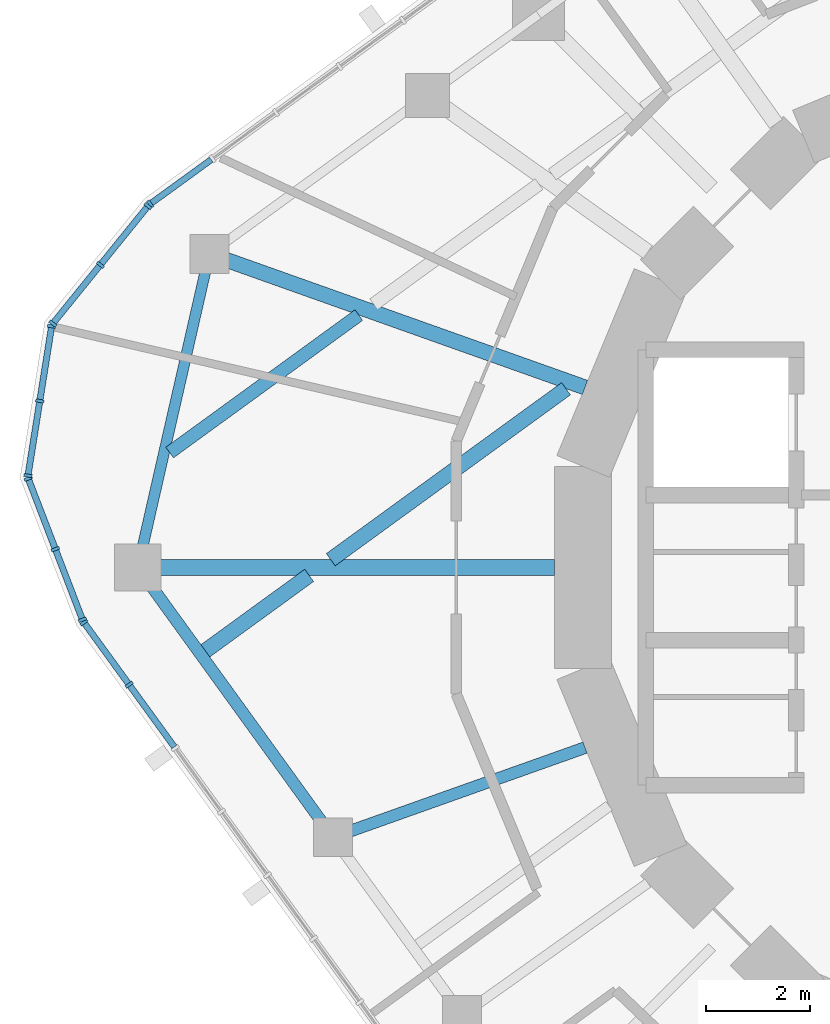
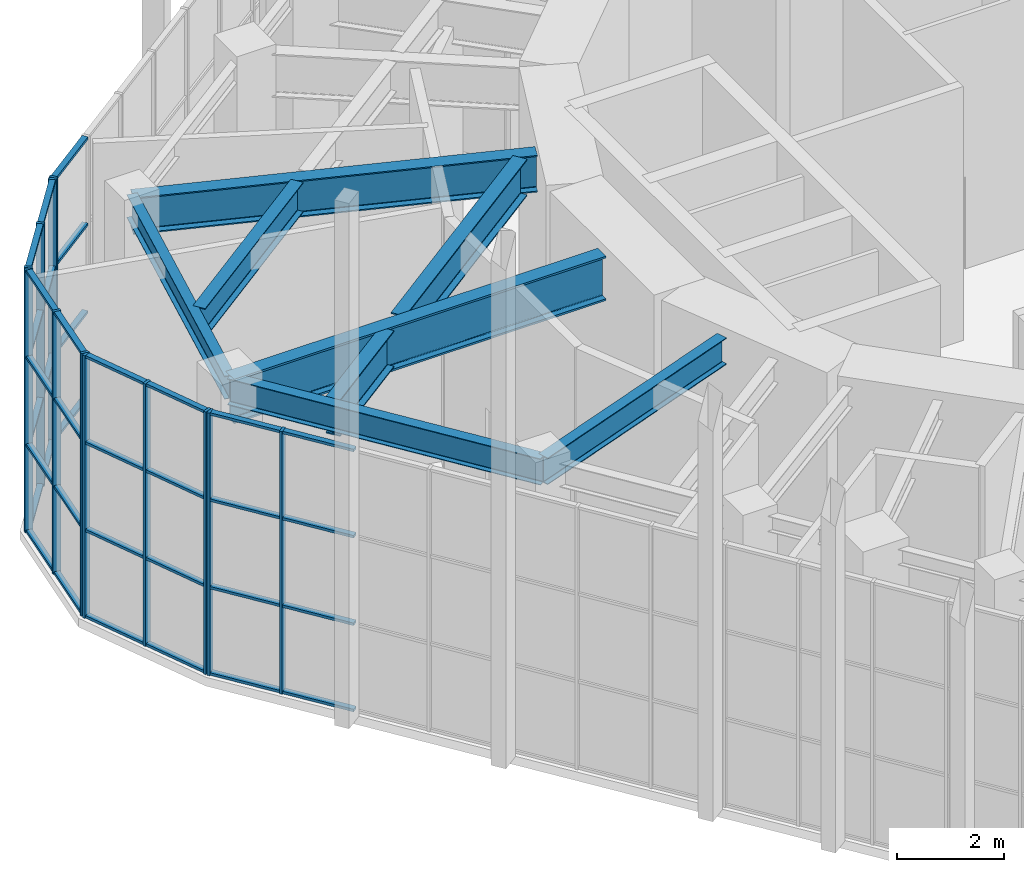
# One storey, part 5 of 17: 48 members, 8 beams, 5 elements without a shape of their own.
"""IFC4 building model written with IfcOpenShell, lengths in metres."""

from ifc_helpers import new_model, si_unit, direction, frame, origin, origin_2d, place, context, subcontext, project, spatial, rectangle, i_section, extrude, material, material_profile, profile_set, type_object, element, aggregate, save


model = new_model("IFC4")

# Units and contexts
model_context = context("Model", 3, precision=1e-05, world=origin(), true_north=direction((0.0, 1.0)))
body_context = subcontext(model_context, "Body", "Model", "MODEL_VIEW")
ifc_project = project(units=[si_unit("LENGTHUNIT", "METRE"), si_unit("AREAUNIT", "SQUARE_METRE"), si_unit("VOLUMEUNIT", "CUBIC_METRE"), si_unit("PLANEANGLEUNIT", "RADIAN"), si_unit("MASSUNIT", "GRAM", prefix="KILO")], contexts=[model_context])

# Site, building, storey
site_placement = place(None, origin())
site = spatial("IfcSite", under=ifc_project, at=site_placement, CompositionType="ELEMENT")
building_placement = place(site_placement, origin())
building = spatial("IfcBuilding", under=site, at=building_placement, Name="Nakasero Lantern House", CompositionType="ELEMENT")
storey_placement = place(building_placement, frame((0.0, 0.0, 298.39990234375)))
storey = spatial("IfcBuildingStorey", under=building, at=storey_placement, Name="L73", CompositionType="ELEMENT", Elevation=298.39990234375)

# Beams
ifc_material_1 = material(Name="Steel S355", Category="steel")
ifc_material_profile_1 = material_profile(ifc_material_1, i_section(OverallWidth=0.253662109375, OverallDepth=0.68359375, WebThickness=0.012451171875, FlangeThickness=0.01904296875, FilletRadius=0.01513671875, at=origin_2d()), Name="UB 686x254x140")
ifc_profile_set_1 = profile_set([ifc_material_profile_1], Name="Steel S355")
beam_type_1 = type_object("IfcBeamType", Name="Infill beam UB 686x254x140", PredefinedType="JOIST", material=ifc_profile_set_1)
beam_1_placement = place(storey_placement, frame((-17.786865234375, 2.21875, 5.458251953125), z_axis=(0.808998054221, 0.587811320295, 0.0), x_axis=(-0.587811320295, 0.808998054221, 0.0)))
element("IfcBeam", 1, at=beam_1_placement, inside=storey, type_object=beam_type_1, Name="Infill beam L74 10.1", PredefinedType="JOIST", context=body_context, shape_type="SweptSolid", body=[
    extrude(i_section(OverallWidth=0.253662109375, OverallDepth=0.68359375, WebThickness=0.012451171875, FlangeThickness=0.01904296875, FilletRadius=0.01513671875, at=origin_2d()), origin(), (0.0, 0.0, 1.0), 4.51220703125),
])
ifc_material_2 = material(Name="Steel S355", Category="steel")
ifc_material_profile_2 = material_profile(ifc_material_2, i_section(OverallWidth=0.29248046875, OverallDepth=0.8408203125, WebThickness=0.0146484375, FlangeThickness=0.02685546875, FilletRadius=0.017822265625, at=origin_2d()), Name="UB 838x292x194")
ifc_profile_set_2 = profile_set([ifc_material_profile_2], Name="Steel S355")
beam_type_2 = type_object("IfcBeamType", Name="Infill beam UB 838x292x194", PredefinedType="JOIST", material=ifc_profile_set_2)
beam_2_placement = place(storey_placement, frame((-17.09765625, -1.606689453125, 5.379638671875), z_axis=(0.809008944548, 0.587796331769, 0.0), x_axis=(-0.587796331769, 0.809008944548, 0.0)))
element("IfcBeam", 2, at=beam_2_placement, inside=storey, type_object=beam_type_2, Name="Infill beam L74 09.1", PredefinedType="JOIST", context=body_context, shape_type="SweptSolid", body=[
    extrude(i_section(OverallWidth=0.29248046875, OverallDepth=0.8408203125, WebThickness=0.0146484375, FlangeThickness=0.02685546875, FilletRadius=0.017822265625, at=origin_2d()), origin(), (0.0, 0.0, 1.0), 2.4755859375),
])
beam_3_placement = place(storey_placement, frame((-14.677978515625, 0.151611328125, 5.379638671875), z_axis=(0.809023858621, 0.587775804352, 0.0), x_axis=(-0.587775804352, 0.809023858621, 0.0)))
element("IfcBeam", 3, at=beam_3_placement, inside=storey, type_object=beam_type_2, Name="Infill beam L74 09.2", PredefinedType="JOIST", context=body_context, shape_type="SweptSolid", body=[
    extrude(i_section(OverallWidth=0.29248046875, OverallDepth=0.8408203125, WebThickness=0.0146484375, FlangeThickness=0.02685546875, FilletRadius=0.017822265625, at=origin_2d()), origin(), (0.0, 0.0, 1.0), 5.611083984375),
])

# Curtain wall, member
ifc_material_3 = material(Name="Aluminium 6063-T6 and glass", Category="aluminium")
curtain_wall_type = type_object("IfcCurtainWallType", Name="Lantern glazing CW-4", PredefinedType="USERDEFINED", material=ifc_material_3)
curtain_wall_1_placement = place(storey_placement, origin())
curtain_wall_1 = element("IfcCurtainWall", 4, at=curtain_wall_1_placement, inside=storey, type_object=curtain_wall_type, Name="Curtain wall CW-4 L73", ObjectType="UNITISED CURTAIN WALL", PredefinedType="USERDEFINED")
ifc_material_4 = material(Name="Aluminium 6063-T6", Category="aluminium")
ifc_material_profile_3 = material_profile(ifc_material_4, rectangle(XDim=0.06005859375, YDim=0.159912109375, at=origin_2d()), Name="CW-4 mullion 60x160")
ifc_profile_set_3 = profile_set([ifc_material_profile_3], Name="Aluminium 6063-T6")
member_type_1 = type_object("IfcMemberType", Name="Mullion CW-4", PredefinedType="MULLION", material=ifc_profile_set_3)
member_1_placement = place(storey_placement, frame((-18.16162109375, 7.0146484375, 0.0), z_axis=(0.0, 0.0, 1.0), x_axis=(-0.809016994375, -0.587785252292, 0.0)))
member_1 = element("IfcMember", 5, at=member_1_placement, type_object=member_type_1, Name="CW-4 mullion 15", PredefinedType="MULLION", context=body_context, shape_type="SweptSolid", body=[
    extrude(rectangle(XDim=0.06005859375, YDim=0.159912109375, at=origin_2d()), origin(), (0.0, 0.0, 1.0), 6.0),
])

# Curtain wall, members
curtain_wall_2_placement = place(storey_placement, origin())
curtain_wall_2 = element("IfcCurtainWall", 6, at=curtain_wall_2_placement, inside=storey, type_object=curtain_wall_type, Name="Curtain wall CW-4 L73", ObjectType="UNITISED CURTAIN WALL", PredefinedType="USERDEFINED")
member_2_placement = place(storey_placement, frame((-18.204833984375, 6.9736328125, 0.0), z_axis=(0.0, 0.0, 1.0), x_axis=(-0.62932039105, -0.777145961457, 0.0)))
member_2 = element("IfcMember", 7, at=member_2_placement, type_object=member_type_1, Name="CW-4 mullion 1", PredefinedType="MULLION", context=body_context, shape_type="SweptSolid", body=[
    extrude(rectangle(XDim=0.06005859375, YDim=0.159912109375, at=origin_2d()), origin(), (0.0, 0.0, 1.0), 6.0),
])
member_3_placement = place(storey_placement, frame((-19.122314453125, 5.84033203125, 0.0), z_axis=(0.0, 0.0, 1.0), x_axis=(-0.62932039105, -0.777145961457, 0.0)))
member_3 = element("IfcMember", 8, at=member_3_placement, type_object=member_type_1, Name="CW-4 mullion 2", PredefinedType="MULLION", context=body_context, shape_type="SweptSolid", body=[
    extrude(rectangle(XDim=0.06005859375, YDim=0.159912109375, at=origin_2d()), origin(), (0.0, 0.0, 1.0), 6.0),
])
member_4_placement = place(storey_placement, frame((-20.0400390625, 4.70703125, 0.0), z_axis=(0.0, 0.0, 1.0), x_axis=(-0.62932039105, -0.777145961457, 0.0)))
member_4 = element("IfcMember", 9, at=member_4_placement, type_object=member_type_1, Name="CW-4 mullion 3", PredefinedType="MULLION", context=body_context, shape_type="SweptSolid", body=[
    extrude(rectangle(XDim=0.06005859375, YDim=0.159912109375, at=origin_2d()), origin(), (0.0, 0.0, 1.0), 6.0),
])

curtain_wall_3_placement = place(storey_placement, origin())
curtain_wall_3 = element("IfcCurtainWall", 10, at=curtain_wall_3_placement, inside=storey, type_object=curtain_wall_type, Name="Curtain wall CW-4 L73", ObjectType="UNITISED CURTAIN WALL", PredefinedType="USERDEFINED")
member_5_placement = place(storey_placement, frame((-20.063720703125, 4.654052734375, 0.0), z_axis=(0.0, 0.0, 1.0), x_axis=(-0.15643446504, -0.987688340595, 0.0)))
member_5 = element("IfcMember", 11, at=member_5_placement, type_object=member_type_1, Name="CW-4 mullion 1", PredefinedType="MULLION", context=body_context, shape_type="SweptSolid", body=[
    extrude(rectangle(XDim=0.06005859375, YDim=0.159912109375, at=origin_2d()), origin(), (0.0, 0.0, 1.0), 6.0),
])
member_6_placement = place(storey_placement, frame((-20.291748046875, 3.2138671875, 0.0), z_axis=(0.0, 0.0, 1.0), x_axis=(-0.15643446504, -0.987688340595, 0.0)))
member_6 = element("IfcMember", 12, at=member_6_placement, type_object=member_type_1, Name="CW-4 mullion 2", PredefinedType="MULLION", context=body_context, shape_type="SweptSolid", body=[
    extrude(rectangle(XDim=0.06005859375, YDim=0.159912109375, at=origin_2d()), origin(), (0.0, 0.0, 1.0), 6.0),
])
member_7_placement = place(storey_placement, frame((-20.52001953125, 1.773681640625, 0.0), z_axis=(0.0, 0.0, 1.0), x_axis=(-0.15643446504, -0.987688340595, 0.0)))
member_7 = element("IfcMember", 13, at=member_7_placement, type_object=member_type_1, Name="CW-4 mullion 3", PredefinedType="MULLION", context=body_context, shape_type="SweptSolid", body=[
    extrude(rectangle(XDim=0.06005859375, YDim=0.159912109375, at=origin_2d()), origin(), (0.0, 0.0, 1.0), 6.0),
])

curtain_wall_4_placement = place(storey_placement, origin())
curtain_wall_4 = element("IfcCurtainWall", 14, at=curtain_wall_4_placement, inside=storey, type_object=curtain_wall_type, Name="Curtain wall CW-4 L73", ObjectType="UNITISED CURTAIN WALL", PredefinedType="USERDEFINED")
member_8_placement = place(storey_placement, frame((-20.513916015625, 1.716064453125, 0.0), z_axis=(0.0, 0.0, 1.0), x_axis=(0.358367949545, -0.933580426497, 0.0)))
member_8 = element("IfcMember", 15, at=member_8_placement, type_object=member_type_1, Name="CW-4 mullion 1", PredefinedType="MULLION", context=body_context, shape_type="SweptSolid", body=[
    extrude(rectangle(XDim=0.06005859375, YDim=0.159912109375, at=origin_2d()), origin(), (0.0, 0.0, 1.0), 6.0),
])
member_9_placement = place(storey_placement, frame((-19.9912109375, 0.354736328125, 0.0), z_axis=(0.0, 0.0, 1.0), x_axis=(0.358367949545, -0.933580426497, 0.0)))
member_9 = element("IfcMember", 16, at=member_9_placement, type_object=member_type_1, Name="CW-4 mullion 2", PredefinedType="MULLION", context=body_context, shape_type="SweptSolid", body=[
    extrude(rectangle(XDim=0.06005859375, YDim=0.159912109375, at=origin_2d()), origin(), (0.0, 0.0, 1.0), 6.0),
])
member_10_placement = place(storey_placement, frame((-19.46875, -1.006591796875, 0.0), z_axis=(0.0, 0.0, 1.0), x_axis=(0.358367949545, -0.933580426497, 0.0)))
member_10 = element("IfcMember", 17, at=member_10_placement, type_object=member_type_1, Name="CW-4 mullion 3", PredefinedType="MULLION", context=body_context, shape_type="SweptSolid", body=[
    extrude(rectangle(XDim=0.06005859375, YDim=0.159912109375, at=origin_2d()), origin(), (0.0, 0.0, 1.0), 6.0),
])

curtain_wall_5_placement = place(storey_placement, origin())
curtain_wall_5 = element("IfcCurtainWall", 18, at=curtain_wall_5_placement, inside=storey, type_object=curtain_wall_type, Name="Curtain wall CW-4 L73", ObjectType="UNITISED CURTAIN WALL", PredefinedType="USERDEFINED")
member_11_placement = place(storey_placement, frame((-19.4404296875, -1.05908203125, 0.0), z_axis=(0.0, 0.0, 1.0), x_axis=(0.587785252292, -0.809016994375, 0.0)))
member_11 = element("IfcMember", 19, at=member_11_placement, type_object=member_type_1, Name="CW-4 mullion 1", PredefinedType="MULLION", context=body_context, shape_type="SweptSolid", body=[
    extrude(rectangle(XDim=0.06005859375, YDim=0.159912109375, at=origin_2d()), origin(), (0.0, 0.0, 1.0), 6.0),
])
member_12_placement = place(storey_placement, frame((-18.56787109375, -2.259765625, 0.0), z_axis=(0.0, 0.0, 1.0), x_axis=(0.587785252292, -0.809016994375, 0.0)))
member_12 = element("IfcMember", 20, at=member_12_placement, type_object=member_type_1, Name="CW-4 mullion 2", PredefinedType="MULLION", context=body_context, shape_type="SweptSolid", body=[
    extrude(rectangle(XDim=0.06005859375, YDim=0.159912109375, at=origin_2d()), origin(), (0.0, 0.0, 1.0), 6.0),
])

# Beams
ifc_material_5 = material(Name="Steel S355", Category="steel")
ifc_material_profile_4 = material_profile(ifc_material_5, i_section(OverallWidth=0.302978515625, OverallDepth=1.015869140625, WebThickness=0.0244140625, FlangeThickness=0.0439453125, FilletRadius=0.030029296875, at=origin_2d()), Name="UB 1016x305x393")
ifc_profile_set_4 = profile_set([ifc_material_profile_4], Name="Steel S355")
beam_type_3 = type_object("IfcBeamType", Name="Primary beam UB 1016x305x393, span 6 to 9 m", PredefinedType="BEAM", material=ifc_profile_set_4)
beam_4_placement = place(storey_placement, frame((-18.39990234375, 0.0, 5.292236328125), z_axis=(1.0, 0.0, 0.0), x_axis=(0.0, 1.0, 0.0)))
element("IfcBeam", 21, at=beam_4_placement, inside=storey, type_object=beam_type_3, Name="Primary beam L74 B7-C15", PredefinedType="BEAM", context=body_context, shape_type="SweptSolid", body=[
    extrude(i_section(OverallWidth=0.302978515625, OverallDepth=1.015869140625, WebThickness=0.0244140625, FlangeThickness=0.0439453125, FilletRadius=0.030029296875, at=origin_2d()), origin(), (0.0, 0.0, 1.0), 8.0419921875),
])
ifc_material_6 = material(Name="Steel S355", Category="steel")
ifc_material_profile_5 = material_profile(ifc_material_6, i_section(OverallWidth=0.22900390625, OverallDepth=0.6123046875, WebThickness=0.011962890625, FlangeThickness=0.01953125, FilletRadius=0.0126953125, at=origin_2d()), Name="UB 610x229x125")
ifc_profile_set_5 = profile_set([ifc_material_profile_5], Name="Steel S355")
beam_type_4 = type_object("IfcBeamType", Name="Primary beam UB 610x229x125, span to 6 m", PredefinedType="BEAM", material=ifc_profile_set_5)
beam_5_placement = place(storey_placement, frame((-14.636474609375, -5.2041015625, 5.493896484375), z_axis=(0.942221324153, 0.3349910093, 0.0), x_axis=(-0.3349910093, 0.942221324153, 0.0)))
element("IfcBeam", 22, at=beam_5_placement, inside=storey, type_object=beam_type_4, Name="Primary beam L74 B7-C16", PredefinedType="BEAM", context=body_context, shape_type="SweptSolid", body=[
    extrude(i_section(OverallWidth=0.22900390625, OverallDepth=0.6123046875, WebThickness=0.011962890625, FlangeThickness=0.01953125, FilletRadius=0.0126953125, at=origin_2d()), origin(), (0.0, 0.0, 1.0), 5.162841796875),
])
ifc_material_7 = material(Name="Steel S355", Category="steel")
ifc_material_profile_6 = material_profile(ifc_material_7, i_section(OverallWidth=0.29248046875, OverallDepth=0.8408203125, WebThickness=0.0146484375, FlangeThickness=0.02685546875, FilletRadius=0.017822265625, at=origin_2d()), Name="UB 838x292x194")
ifc_profile_set_6 = profile_set([ifc_material_profile_6], Name="Steel S355")
beam_type_5 = type_object("IfcBeamType", Name="Primary beam UB 838x292x194, span 6 to 9 m", PredefinedType="BEAM", material=ifc_profile_set_6)
beam_6_placement = place(storey_placement, frame((-17.02001953125, 6.051513671875, 5.379638671875), z_axis=(0.942222036561, -0.334989005521, 0.0), x_axis=(0.334989005521, 0.942222036561, 0.0)))
element("IfcBeam", 23, at=beam_6_placement, inside=storey, type_object=beam_type_5, Name="Primary beam L74 B7-C14", PredefinedType="BEAM", context=body_context, shape_type="SweptSolid", body=[
    extrude(i_section(OverallWidth=0.29248046875, OverallDepth=0.8408203125, WebThickness=0.0146484375, FlangeThickness=0.02685546875, FilletRadius=0.017822265625, at=origin_2d()), origin(), (0.0, 0.0, 1.0), 7.6923828125),
])
ifc_material_8 = material(Name="Steel S355", Category="steel")
ifc_material_profile_7 = material_profile(ifc_material_8, i_section(OverallWidth=0.208740234375, OverallDepth=0.5283203125, WebThickness=0.009521484375, FlangeThickness=0.01318359375, FilletRadius=0.0126953125, at=origin_2d()), Name="UB 533x210x82")
ifc_profile_set_7 = profile_set([ifc_material_profile_7], Name="Steel S355")
beam_type_6 = type_object("IfcBeamType", Name="Ring beam UB 533x210x82", PredefinedType="BEAM", material=ifc_profile_set_7)
beam_7_placement = place(storey_placement, frame((-17.02001953125, 6.051513671875, 5.535888671875), z_axis=(-0.222316387753, -0.974974575944, 0.0), x_axis=(0.974974575944, -0.222316387753, 0.0)))
element("IfcBeam", 24, at=beam_7_placement, inside=storey, type_object=beam_type_6, Name="Ring beam L74 B7-C14", PredefinedType="BEAM", context=body_context, shape_type="SweptSolid", body=[
    extrude(i_section(OverallWidth=0.208740234375, OverallDepth=0.5283203125, WebThickness=0.009521484375, FlangeThickness=0.01318359375, FilletRadius=0.0126953125, at=origin_2d()), origin(), (0.0, 0.0, 1.0), 6.206787109375),
])
ifc_material_9 = material(Name="Steel S355", Category="steel")
ifc_material_profile_8 = material_profile(ifc_material_9, i_section(OverallWidth=0.2275390625, OverallDepth=0.6025390625, WebThickness=0.010498046875, FlangeThickness=0.014892578125, FilletRadius=0.0126953125, at=origin_2d()), Name="UB 610x229x101")
ifc_profile_set_8 = profile_set([ifc_material_profile_8], Name="Steel S355")
beam_type_7 = type_object("IfcBeamType", Name="Ring beam UB 610x229x101", PredefinedType="BEAM", material=ifc_profile_set_8)
beam_8_placement = place(storey_placement, frame((-18.39990234375, 0.0, 5.498779296875), z_axis=(0.58599287996, -0.810316200404, 0.0), x_axis=(0.810316200404, 0.58599287996, 0.0)))
element("IfcBeam", 25, at=beam_8_placement, inside=storey, type_object=beam_type_7, Name="Ring beam L74 B7-C15", PredefinedType="BEAM", context=body_context, shape_type="SweptSolid", body=[
    extrude(i_section(OverallWidth=0.2275390625, OverallDepth=0.6025390625, WebThickness=0.010498046875, FlangeThickness=0.014892578125, FilletRadius=0.0126953125, at=origin_2d()), origin(), (0.0, 0.0, 1.0), 6.42236328125),
])

# Member
ifc_material_10 = material(Name="Aluminium 6063-T6", Category="aluminium")
ifc_material_profile_9 = material_profile(ifc_material_10, rectangle(XDim=0.06005859375, YDim=0.1201171875, at=origin_2d()), Name="CW-4 transom 60x120")
ifc_profile_set_9 = profile_set([ifc_material_profile_9], Name="Aluminium 6063-T6")
member_type_2 = type_object("IfcMemberType", Name="Transom CW-4", PredefinedType="USERDEFINED", material=ifc_profile_set_9)
member_13_placement = place(storey_placement, frame((-16.985107421875, 7.869384765625, 0.030029296875), z_axis=(-0.808980650343, -0.587835272309, 0.0), x_axis=(0.0, 0.0, 1.0)))
member_13 = element("IfcMember", 26, at=member_13_placement, type_object=member_type_2, Name="CW-4 transom 14.1", ObjectType="TRANSOM", PredefinedType="USERDEFINED", context=body_context, shape_type="SweptSolid", body=[
    extrude(rectangle(XDim=0.06005859375, YDim=0.1201171875, at=origin_2d()), origin(), (0.0, 0.0, 1.0), 1.424072265625),
])

member_14_placement = place(storey_placement, frame((-16.985107421875, 7.869384765625, 2.0), z_axis=(-0.808980650343, -0.587835272309, 0.0), x_axis=(0.0, 0.0, 1.0)))
member_14 = element("IfcMember", 27, at=member_14_placement, type_object=member_type_2, Name="CW-4 transom 14.2", ObjectType="TRANSOM", PredefinedType="USERDEFINED", context=body_context, shape_type="SweptSolid", body=[
    extrude(rectangle(XDim=0.06005859375, YDim=0.1201171875, at=origin_2d()), origin(), (0.0, 0.0, 1.0), 1.424072265625),
])

member_15_placement = place(storey_placement, frame((-16.985107421875, 7.869384765625, 4.0), z_axis=(-0.808980650343, -0.587835272309, 0.0), x_axis=(0.0, 0.0, 1.0)))
member_15 = element("IfcMember", 28, at=member_15_placement, type_object=member_type_2, Name="CW-4 transom 14.3", ObjectType="TRANSOM", PredefinedType="USERDEFINED", context=body_context, shape_type="SweptSolid", body=[
    extrude(rectangle(XDim=0.06005859375, YDim=0.1201171875, at=origin_2d()), origin(), (0.0, 0.0, 1.0), 1.424072265625),
])

member_16_placement = place(storey_placement, frame((-16.985107421875, 7.869384765625, 5.97021484375), z_axis=(-0.808980650343, -0.587835272309, 0.0), x_axis=(0.0, 0.0, 1.0)))
member_16 = element("IfcMember", 29, at=member_16_placement, type_object=member_type_2, Name="CW-4 transom 14.4", ObjectType="TRANSOM", PredefinedType="USERDEFINED", context=body_context, shape_type="SweptSolid", body=[
    extrude(rectangle(XDim=0.06005859375, YDim=0.1201171875, at=origin_2d()), origin(), (0.0, 0.0, 1.0), 1.424072265625),
])

aggregate(curtain_wall_1, [member_1, member_13, member_14, member_15, member_16])

member_17_placement = place(storey_placement, frame((-18.2236328125, 6.9501953125, 0.030029296875), z_axis=(-0.629369016646, -0.777106582707, 0.0), x_axis=(0.0, 0.0, 1.0)))
member_17 = element("IfcMember", 30, at=member_17_placement, type_object=member_type_2, Name="CW-4 transom 1.1", ObjectType="TRANSOM", PredefinedType="USERDEFINED", context=body_context, shape_type="SweptSolid", body=[
    extrude(rectangle(XDim=0.06005859375, YDim=0.1201171875, at=origin_2d()), origin(), (0.0, 0.0, 1.0), 1.39794921875),
])

member_18_placement = place(storey_placement, frame((-18.2236328125, 6.9501953125, 2.0), z_axis=(-0.629369016646, -0.777106582707, 0.0), x_axis=(0.0, 0.0, 1.0)))
member_18 = element("IfcMember", 31, at=member_18_placement, type_object=member_type_2, Name="CW-4 transom 1.2", ObjectType="TRANSOM", PredefinedType="USERDEFINED", context=body_context, shape_type="SweptSolid", body=[
    extrude(rectangle(XDim=0.06005859375, YDim=0.1201171875, at=origin_2d()), origin(), (0.0, 0.0, 1.0), 1.39794921875),
])

member_19_placement = place(storey_placement, frame((-18.2236328125, 6.9501953125, 4.0), z_axis=(-0.629369016646, -0.777106582707, 0.0), x_axis=(0.0, 0.0, 1.0)))
member_19 = element("IfcMember", 32, at=member_19_placement, type_object=member_type_2, Name="CW-4 transom 1.3", ObjectType="TRANSOM", PredefinedType="USERDEFINED", context=body_context, shape_type="SweptSolid", body=[
    extrude(rectangle(XDim=0.06005859375, YDim=0.1201171875, at=origin_2d()), origin(), (0.0, 0.0, 1.0), 1.39794921875),
])

member_20_placement = place(storey_placement, frame((-18.2236328125, 6.9501953125, 5.97021484375), z_axis=(-0.629369016646, -0.777106582707, 0.0), x_axis=(0.0, 0.0, 1.0)))
member_20 = element("IfcMember", 33, at=member_20_placement, type_object=member_type_2, Name="CW-4 transom 1.4", ObjectType="TRANSOM", PredefinedType="USERDEFINED", context=body_context, shape_type="SweptSolid", body=[
    extrude(rectangle(XDim=0.06005859375, YDim=0.1201171875, at=origin_2d()), origin(), (0.0, 0.0, 1.0), 1.39794921875),
])

member_21_placement = place(storey_placement, frame((-19.141357421875, 5.817138671875, 0.030029296875), z_axis=(-0.629283614868, -0.777175740781, 0.0), x_axis=(0.0, 0.0, 1.0)))
member_21 = element("IfcMember", 34, at=member_21_placement, type_object=member_type_2, Name="CW-4 transom 2.1", ObjectType="TRANSOM", PredefinedType="USERDEFINED", context=body_context, shape_type="SweptSolid", body=[
    extrude(rectangle(XDim=0.06005859375, YDim=0.1201171875, at=origin_2d()), origin(), (0.0, 0.0, 1.0), 1.398193359375),
])

member_22_placement = place(storey_placement, frame((-19.141357421875, 5.817138671875, 2.0), z_axis=(-0.629283614868, -0.777175740781, 0.0), x_axis=(0.0, 0.0, 1.0)))
member_22 = element("IfcMember", 35, at=member_22_placement, type_object=member_type_2, Name="CW-4 transom 2.2", ObjectType="TRANSOM", PredefinedType="USERDEFINED", context=body_context, shape_type="SweptSolid", body=[
    extrude(rectangle(XDim=0.06005859375, YDim=0.1201171875, at=origin_2d()), origin(), (0.0, 0.0, 1.0), 1.398193359375),
])

member_23_placement = place(storey_placement, frame((-19.141357421875, 5.817138671875, 4.0), z_axis=(-0.629283614868, -0.777175740781, 0.0), x_axis=(0.0, 0.0, 1.0)))
member_23 = element("IfcMember", 36, at=member_23_placement, type_object=member_type_2, Name="CW-4 transom 2.3", ObjectType="TRANSOM", PredefinedType="USERDEFINED", context=body_context, shape_type="SweptSolid", body=[
    extrude(rectangle(XDim=0.06005859375, YDim=0.1201171875, at=origin_2d()), origin(), (0.0, 0.0, 1.0), 1.398193359375),
])

member_24_placement = place(storey_placement, frame((-19.141357421875, 5.817138671875, 5.97021484375), z_axis=(-0.629283614868, -0.777175740781, 0.0), x_axis=(0.0, 0.0, 1.0)))
member_24 = element("IfcMember", 37, at=member_24_placement, type_object=member_type_2, Name="CW-4 transom 2.4", ObjectType="TRANSOM", PredefinedType="USERDEFINED", context=body_context, shape_type="SweptSolid", body=[
    extrude(rectangle(XDim=0.06005859375, YDim=0.1201171875, at=origin_2d()), origin(), (0.0, 0.0, 1.0), 1.398193359375),
])

aggregate(curtain_wall_2, [member_2, member_3, member_4, member_17, member_18, member_19, member_20, member_21, member_22, member_23, member_24])

member_25_placement = place(storey_placement, frame((-20.068359375, 4.62451171875, 0.030029296875), z_axis=(-0.156464720495, -0.987683548127, 0.0), x_axis=(0.0, 0.0, 1.0)))
member_25 = element("IfcMember", 38, at=member_25_placement, type_object=member_type_2, Name="CW-4 transom 1.1", ObjectType="TRANSOM", PredefinedType="USERDEFINED", context=body_context, shape_type="SweptSolid", body=[
    extrude(rectangle(XDim=0.06005859375, YDim=0.1201171875, at=origin_2d()), origin(), (0.0, 0.0, 1.0), 1.398193359375),
])

member_26_placement = place(storey_placement, frame((-20.068359375, 4.62451171875, 2.0), z_axis=(-0.156464720495, -0.987683548127, 0.0), x_axis=(0.0, 0.0, 1.0)))
member_26 = element("IfcMember", 39, at=member_26_placement, type_object=member_type_2, Name="CW-4 transom 1.2", ObjectType="TRANSOM", PredefinedType="USERDEFINED", context=body_context, shape_type="SweptSolid", body=[
    extrude(rectangle(XDim=0.06005859375, YDim=0.1201171875, at=origin_2d()), origin(), (0.0, 0.0, 1.0), 1.398193359375),
])

member_27_placement = place(storey_placement, frame((-20.068359375, 4.62451171875, 4.0), z_axis=(-0.156464720495, -0.987683548127, 0.0), x_axis=(0.0, 0.0, 1.0)))
member_27 = element("IfcMember", 40, at=member_27_placement, type_object=member_type_2, Name="CW-4 transom 1.3", ObjectType="TRANSOM", PredefinedType="USERDEFINED", context=body_context, shape_type="SweptSolid", body=[
    extrude(rectangle(XDim=0.06005859375, YDim=0.1201171875, at=origin_2d()), origin(), (0.0, 0.0, 1.0), 1.398193359375),
])

member_28_placement = place(storey_placement, frame((-20.068359375, 4.62451171875, 5.97021484375), z_axis=(-0.156464720495, -0.987683548127, 0.0), x_axis=(0.0, 0.0, 1.0)))
member_28 = element("IfcMember", 41, at=member_28_placement, type_object=member_type_2, Name="CW-4 transom 1.4", ObjectType="TRANSOM", PredefinedType="USERDEFINED", context=body_context, shape_type="SweptSolid", body=[
    extrude(rectangle(XDim=0.06005859375, YDim=0.1201171875, at=origin_2d()), origin(), (0.0, 0.0, 1.0), 1.398193359375),
])

member_29_placement = place(storey_placement, frame((-20.29638671875, 3.184326171875, 0.030029296875), z_axis=(-0.156437738833, -0.987687822072, 0.0), x_axis=(0.0, 0.0, 1.0)))
member_29 = element("IfcMember", 42, at=member_29_placement, type_object=member_type_2, Name="CW-4 transom 2.1", ObjectType="TRANSOM", PredefinedType="USERDEFINED", context=body_context, shape_type="SweptSolid", body=[
    extrude(rectangle(XDim=0.06005859375, YDim=0.1201171875, at=origin_2d()), origin(), (0.0, 0.0, 1.0), 1.3984375),
])

member_30_placement = place(storey_placement, frame((-20.29638671875, 3.184326171875, 2.0), z_axis=(-0.156437738833, -0.987687822072, 0.0), x_axis=(0.0, 0.0, 1.0)))
member_30 = element("IfcMember", 43, at=member_30_placement, type_object=member_type_2, Name="CW-4 transom 2.2", ObjectType="TRANSOM", PredefinedType="USERDEFINED", context=body_context, shape_type="SweptSolid", body=[
    extrude(rectangle(XDim=0.06005859375, YDim=0.1201171875, at=origin_2d()), origin(), (0.0, 0.0, 1.0), 1.3984375),
])

member_31_placement = place(storey_placement, frame((-20.29638671875, 3.184326171875, 4.0), z_axis=(-0.156437738833, -0.987687822072, 0.0), x_axis=(0.0, 0.0, 1.0)))
member_31 = element("IfcMember", 44, at=member_31_placement, type_object=member_type_2, Name="CW-4 transom 2.3", ObjectType="TRANSOM", PredefinedType="USERDEFINED", context=body_context, shape_type="SweptSolid", body=[
    extrude(rectangle(XDim=0.06005859375, YDim=0.1201171875, at=origin_2d()), origin(), (0.0, 0.0, 1.0), 1.3984375),
])

member_32_placement = place(storey_placement, frame((-20.29638671875, 3.184326171875, 5.97021484375), z_axis=(-0.156437738833, -0.987687822072, 0.0), x_axis=(0.0, 0.0, 1.0)))
member_32 = element("IfcMember", 45, at=member_32_placement, type_object=member_type_2, Name="CW-4 transom 2.4", ObjectType="TRANSOM", PredefinedType="USERDEFINED", context=body_context, shape_type="SweptSolid", body=[
    extrude(rectangle(XDim=0.06005859375, YDim=0.1201171875, at=origin_2d()), origin(), (0.0, 0.0, 1.0), 1.3984375),
])

aggregate(curtain_wall_3, [member_5, member_6, member_7, member_25, member_26, member_27, member_28, member_29, member_30, member_31, member_32])

member_33_placement = place(storey_placement, frame((-20.503173828125, 1.68798828125, 0.030029296875), z_axis=(0.358440839092, -0.933552443557, 0.0), x_axis=(0.0, 0.0, 1.0)))
member_33 = element("IfcMember", 46, at=member_33_placement, type_object=member_type_2, Name="CW-4 transom 1.1", ObjectType="TRANSOM", PredefinedType="USERDEFINED", context=body_context, shape_type="SweptSolid", body=[
    extrude(rectangle(XDim=0.06005859375, YDim=0.1201171875, at=origin_2d()), origin(), (0.0, 0.0, 1.0), 1.3984375),
])

member_34_placement = place(storey_placement, frame((-20.503173828125, 1.68798828125, 2.0), z_axis=(0.358440839092, -0.933552443557, 0.0), x_axis=(0.0, 0.0, 1.0)))
member_34 = element("IfcMember", 47, at=member_34_placement, type_object=member_type_2, Name="CW-4 transom 1.2", ObjectType="TRANSOM", PredefinedType="USERDEFINED", context=body_context, shape_type="SweptSolid", body=[
    extrude(rectangle(XDim=0.06005859375, YDim=0.1201171875, at=origin_2d()), origin(), (0.0, 0.0, 1.0), 1.3984375),
])

member_35_placement = place(storey_placement, frame((-20.503173828125, 1.68798828125, 4.0), z_axis=(0.358440839092, -0.933552443557, 0.0), x_axis=(0.0, 0.0, 1.0)))
member_35 = element("IfcMember", 48, at=member_35_placement, type_object=member_type_2, Name="CW-4 transom 1.3", ObjectType="TRANSOM", PredefinedType="USERDEFINED", context=body_context, shape_type="SweptSolid", body=[
    extrude(rectangle(XDim=0.06005859375, YDim=0.1201171875, at=origin_2d()), origin(), (0.0, 0.0, 1.0), 1.3984375),
])

member_36_placement = place(storey_placement, frame((-20.503173828125, 1.68798828125, 5.97021484375), z_axis=(0.358440839092, -0.933552443557, 0.0), x_axis=(0.0, 0.0, 1.0)))
member_36 = element("IfcMember", 49, at=member_36_placement, type_object=member_type_2, Name="CW-4 transom 1.4", ObjectType="TRANSOM", PredefinedType="USERDEFINED", context=body_context, shape_type="SweptSolid", body=[
    extrude(rectangle(XDim=0.06005859375, YDim=0.1201171875, at=origin_2d()), origin(), (0.0, 0.0, 1.0), 1.3984375),
])

member_37_placement = place(storey_placement, frame((-19.98046875, 0.32666015625, 0.030029296875), z_axis=(0.35828866289, -0.93361085793, 0.0), x_axis=(0.0, 0.0, 1.0)))
member_37 = element("IfcMember", 50, at=member_37_placement, type_object=member_type_2, Name="CW-4 transom 2.1", ObjectType="TRANSOM", PredefinedType="USERDEFINED", context=body_context, shape_type="SweptSolid", body=[
    extrude(rectangle(XDim=0.06005859375, YDim=0.1201171875, at=origin_2d()), origin(), (0.0, 0.0, 1.0), 1.398193359375),
])

member_38_placement = place(storey_placement, frame((-19.98046875, 0.32666015625, 2.0), z_axis=(0.35828866289, -0.93361085793, 0.0), x_axis=(0.0, 0.0, 1.0)))
member_38 = element("IfcMember", 51, at=member_38_placement, type_object=member_type_2, Name="CW-4 transom 2.2", ObjectType="TRANSOM", PredefinedType="USERDEFINED", context=body_context, shape_type="SweptSolid", body=[
    extrude(rectangle(XDim=0.06005859375, YDim=0.1201171875, at=origin_2d()), origin(), (0.0, 0.0, 1.0), 1.398193359375),
])

member_39_placement = place(storey_placement, frame((-19.98046875, 0.32666015625, 4.0), z_axis=(0.35828866289, -0.93361085793, 0.0), x_axis=(0.0, 0.0, 1.0)))
member_39 = element("IfcMember", 52, at=member_39_placement, type_object=member_type_2, Name="CW-4 transom 2.3", ObjectType="TRANSOM", PredefinedType="USERDEFINED", context=body_context, shape_type="SweptSolid", body=[
    extrude(rectangle(XDim=0.06005859375, YDim=0.1201171875, at=origin_2d()), origin(), (0.0, 0.0, 1.0), 1.398193359375),
])

member_40_placement = place(storey_placement, frame((-19.98046875, 0.32666015625, 5.97021484375), z_axis=(0.35828866289, -0.93361085793, 0.0), x_axis=(0.0, 0.0, 1.0)))
member_40 = element("IfcMember", 53, at=member_40_placement, type_object=member_type_2, Name="CW-4 transom 2.4", ObjectType="TRANSOM", PredefinedType="USERDEFINED", context=body_context, shape_type="SweptSolid", body=[
    extrude(rectangle(XDim=0.06005859375, YDim=0.1201171875, at=origin_2d()), origin(), (0.0, 0.0, 1.0), 1.398193359375),
])

aggregate(curtain_wall_4, [member_8, member_9, member_10, member_33, member_34, member_35, member_36, member_37, member_38, member_39, member_40])

member_41_placement = place(storey_placement, frame((-19.422607421875, -1.083251953125, 0.030029296875), z_axis=(0.587753757296, -0.809039875893, 0.0), x_axis=(0.0, 0.0, 1.0)))
member_41 = element("IfcMember", 54, at=member_41_placement, type_object=member_type_2, Name="CW-4 transom 1.1", ObjectType="TRANSOM", PredefinedType="USERDEFINED", context=body_context, shape_type="SweptSolid", body=[
    extrude(rectangle(XDim=0.06005859375, YDim=0.1201171875, at=origin_2d()), origin(), (0.0, 0.0, 1.0), 1.42431640625),
])

member_42_placement = place(storey_placement, frame((-19.422607421875, -1.083251953125, 2.0), z_axis=(0.587753757296, -0.809039875893, 0.0), x_axis=(0.0, 0.0, 1.0)))
member_42 = element("IfcMember", 55, at=member_42_placement, type_object=member_type_2, Name="CW-4 transom 1.2", ObjectType="TRANSOM", PredefinedType="USERDEFINED", context=body_context, shape_type="SweptSolid", body=[
    extrude(rectangle(XDim=0.06005859375, YDim=0.1201171875, at=origin_2d()), origin(), (0.0, 0.0, 1.0), 1.42431640625),
])

member_43_placement = place(storey_placement, frame((-19.422607421875, -1.083251953125, 4.0), z_axis=(0.587753757296, -0.809039875893, 0.0), x_axis=(0.0, 0.0, 1.0)))
member_43 = element("IfcMember", 56, at=member_43_placement, type_object=member_type_2, Name="CW-4 transom 1.3", ObjectType="TRANSOM", PredefinedType="USERDEFINED", context=body_context, shape_type="SweptSolid", body=[
    extrude(rectangle(XDim=0.06005859375, YDim=0.1201171875, at=origin_2d()), origin(), (0.0, 0.0, 1.0), 1.42431640625),
])

member_44_placement = place(storey_placement, frame((-19.422607421875, -1.083251953125, 5.97021484375), z_axis=(0.587753757296, -0.809039875893, 0.0), x_axis=(0.0, 0.0, 1.0)))
member_44 = element("IfcMember", 57, at=member_44_placement, type_object=member_type_2, Name="CW-4 transom 1.4", ObjectType="TRANSOM", PredefinedType="USERDEFINED", context=body_context, shape_type="SweptSolid", body=[
    extrude(rectangle(XDim=0.06005859375, YDim=0.1201171875, at=origin_2d()), origin(), (0.0, 0.0, 1.0), 1.42431640625),
])

member_45_placement = place(storey_placement, frame((-18.55029296875, -2.2841796875, 0.030029296875), z_axis=(0.587762348068, -0.809033634773, 0.0), x_axis=(0.0, 0.0, 1.0)))
member_45 = element("IfcMember", 58, at=member_45_placement, type_object=member_type_2, Name="CW-4 transom 2.1", ObjectType="TRANSOM", PredefinedType="USERDEFINED", context=body_context, shape_type="SweptSolid", body=[
    extrude(rectangle(XDim=0.06005859375, YDim=0.1201171875, at=origin_2d()), origin(), (0.0, 0.0, 1.0), 1.4541015625),
])

member_46_placement = place(storey_placement, frame((-18.55029296875, -2.2841796875, 2.0), z_axis=(0.587762348068, -0.809033634773, 0.0), x_axis=(0.0, 0.0, 1.0)))
member_46 = element("IfcMember", 59, at=member_46_placement, type_object=member_type_2, Name="CW-4 transom 2.2", ObjectType="TRANSOM", PredefinedType="USERDEFINED", context=body_context, shape_type="SweptSolid", body=[
    extrude(rectangle(XDim=0.06005859375, YDim=0.1201171875, at=origin_2d()), origin(), (0.0, 0.0, 1.0), 1.4541015625),
])

member_47_placement = place(storey_placement, frame((-18.55029296875, -2.2841796875, 4.0), z_axis=(0.587762348068, -0.809033634773, 0.0), x_axis=(0.0, 0.0, 1.0)))
member_47 = element("IfcMember", 60, at=member_47_placement, type_object=member_type_2, Name="CW-4 transom 2.3", ObjectType="TRANSOM", PredefinedType="USERDEFINED", context=body_context, shape_type="SweptSolid", body=[
    extrude(rectangle(XDim=0.06005859375, YDim=0.1201171875, at=origin_2d()), origin(), (0.0, 0.0, 1.0), 1.4541015625),
])

member_48_placement = place(storey_placement, frame((-18.55029296875, -2.2841796875, 5.97021484375), z_axis=(0.587762348068, -0.809033634773, 0.0), x_axis=(0.0, 0.0, 1.0)))
member_48 = element("IfcMember", 61, at=member_48_placement, type_object=member_type_2, Name="CW-4 transom 2.4", ObjectType="TRANSOM", PredefinedType="USERDEFINED", context=body_context, shape_type="SweptSolid", body=[
    extrude(rectangle(XDim=0.06005859375, YDim=0.1201171875, at=origin_2d()), origin(), (0.0, 0.0, 1.0), 1.4541015625),
])

aggregate(curtain_wall_5, [member_11, member_12, member_41, member_42, member_43, member_44, member_45, member_46, member_47, member_48])

save(model, "model.ifc")
